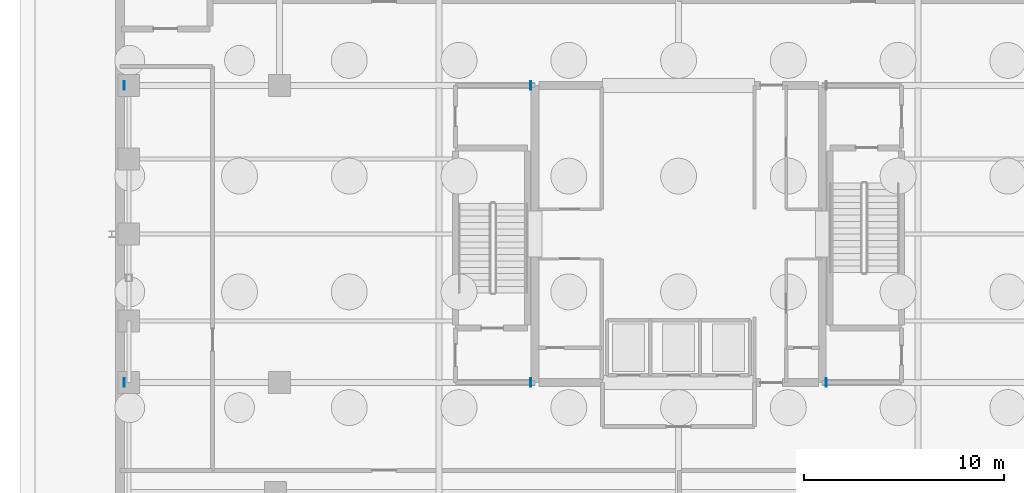
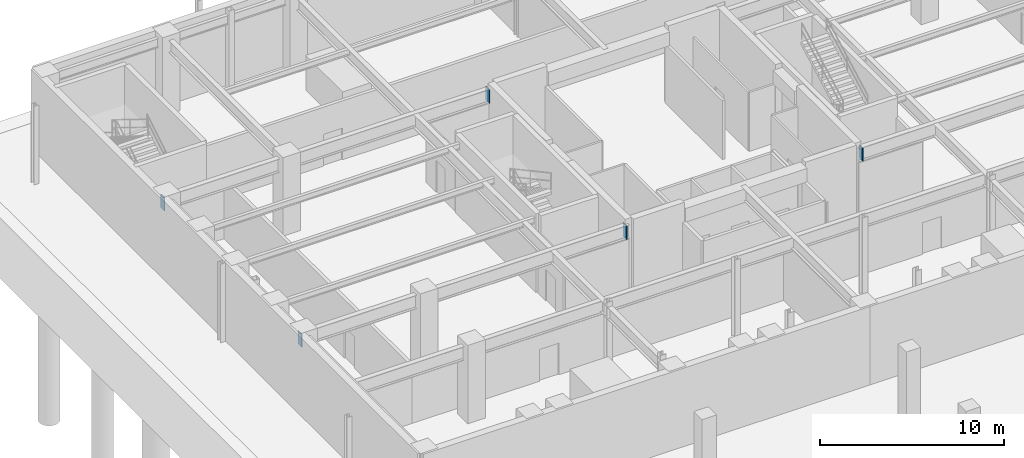
# One storey, part 9 of 18: 5 plates.
"""IFC4 building model written with IfcOpenShell, lengths in metres."""

from ifc_helpers import new_model, si_unit, direction, frame, origin, origin_2d, place, context, subcontext, project, spatial, rectangle, extrude, material, layer, layer_set, type_object, element, save


model = new_model("IFC4")

# Units and contexts
model_context = context("Model", 3, precision=1e-05, world=origin(), true_north=direction((0.0, 1.0)))
body_context = subcontext(model_context, "Body", "Model", "MODEL_VIEW")
ifc_project = project(units=[si_unit("LENGTHUNIT", "METRE"), si_unit("AREAUNIT", "SQUARE_METRE"), si_unit("VOLUMEUNIT", "CUBIC_METRE"), si_unit("PLANEANGLEUNIT", "RADIAN"), si_unit("MASSUNIT", "GRAM", prefix="KILO")], contexts=[model_context])

# Site, building, storey
site_placement = place(None, origin())
site = spatial("IfcSite", under=ifc_project, at=site_placement, CompositionType="ELEMENT")
building_placement = place(site_placement, origin())
building = spatial("IfcBuilding", under=site, at=building_placement, Name="Veldorina Hangang Commons", CompositionType="ELEMENT")
storey_placement = place(building_placement, frame((0.0, 0.0, -10.39990234375)))
storey = spatial("IfcBuildingStorey", under=building, at=storey_placement, Name="B02", CompositionType="ELEMENT", Elevation=-10.39990234375)

# Plates
ifc_material = material(Name="Steel SM490-TMC", Category="steel")
ifc_layer = layer(ifc_material, 0.044921875)
ifc_layer_set = layer_set([ifc_layer], Name="Steel SM490-TMC")
plate_type = type_object("IfcPlateType", Name="PL-NODE-45", PredefinedType="SHEET", material=ifc_layer_set)
for number, where, z_axis, x_axis, name in (
    (1, (24.60009765625, 16.550048828125, 3.989990234375), (0.0, 0.0, 1.0), (1.0, 0.0, 0.0), "B02 west collector girder GD core embed plate"),
    (2, (39.39990234375, 16.550048828125, 3.989990234375), (0.0, 0.0, 1.0), (1.0, 0.0, 0.0), "B02 east collector girder GD core embed plate"),
    (3, (4.22509765625, 16.550048828125, 3.989990234375), (0.0, 0.0, 1.0), (1.0, 0.0, 0.0), "B02 west collector girder GD wall embed plate"),
    (4, (24.60009765625, 31.449951171875, 3.989990234375), (0.0, 0.0, 1.0), (1.0, 0.0, 0.0), "B02 west collector girder GF core embed plate"),
    (5, (4.22509765625, 31.449951171875, 3.989990234375), (0.0, 0.0, 1.0), (1.0, 0.0, 0.0), "B02 west collector girder GF wall embed plate"),
):
    element("IfcPlate", number, at=place(storey_placement, frame(where, z_axis=z_axis, x_axis=x_axis)), inside=storey, type_object=plate_type, Name=name, PredefinedType="SHEET", context=body_context, shape_type="SweptSolid", body=[
        extrude(rectangle(XDim=0.044921875, YDim=0.419921875, at=origin_2d()), origin(), (0.0, 0.0, 1.0), 0.8798828125),
    ])

save(model, "model.ifc")
